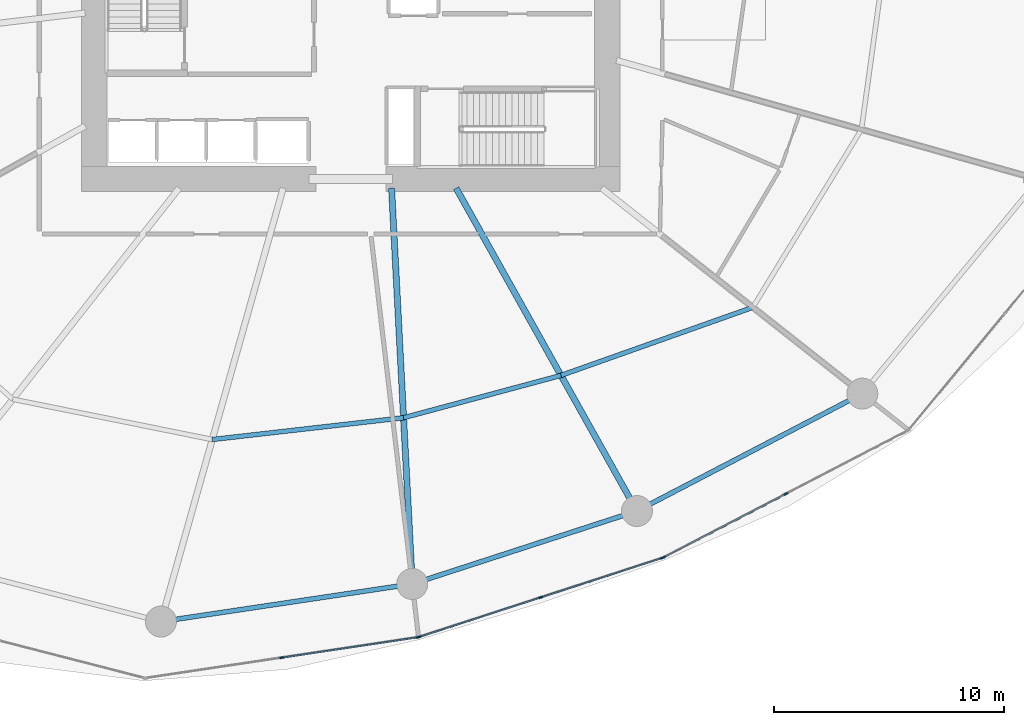
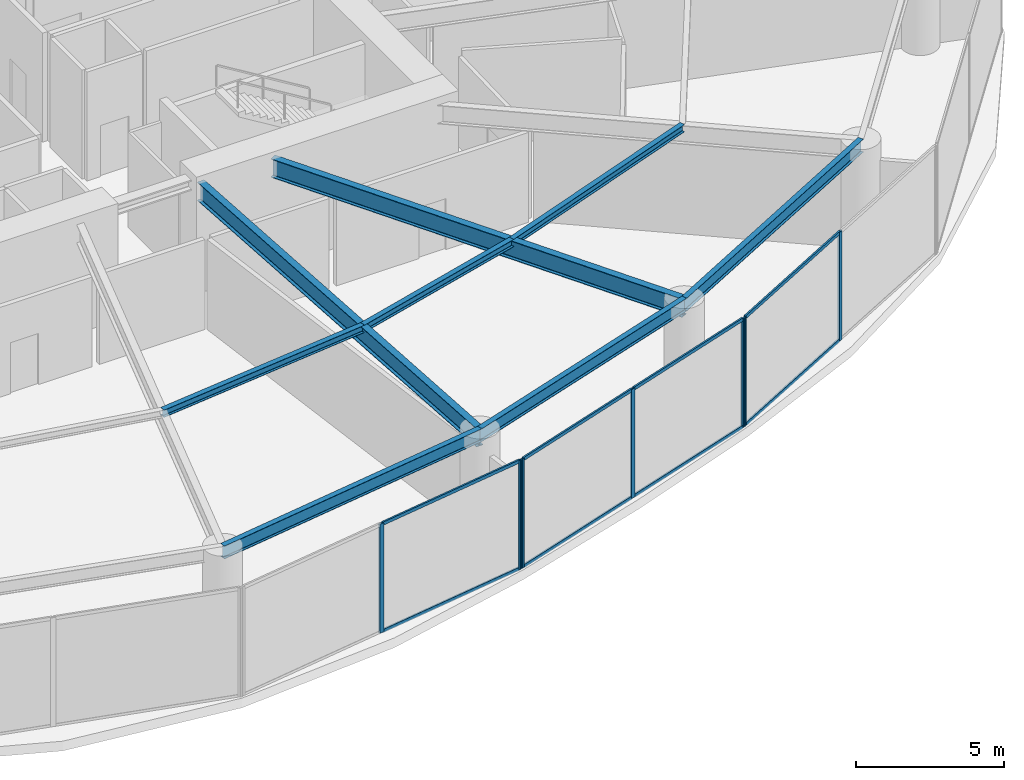
# One storey, part 9 of 22: 15 members, 8 beams, 3 elements without a shape of their own.
"""IFC4 building model written with IfcOpenShell, lengths in metres."""

from ifc_helpers import new_model, si_unit, direction, frame, origin, origin_2d, place, context, subcontext, project, spatial, rectangle, i_section, extrude, material, layer, layer_set, material_profile, profile_set, type_object, element, aggregate, save


model = new_model("IFC4")

# Units and contexts
model_context = context("Model", 3, precision=1e-05, world=origin(), true_north=direction((0.0, 1.0)))
body_context = subcontext(model_context, "Body", "Model", "MODEL_VIEW")
ifc_project = project(units=[si_unit("LENGTHUNIT", "METRE"), si_unit("AREAUNIT", "SQUARE_METRE"), si_unit("VOLUMEUNIT", "CUBIC_METRE"), si_unit("PLANEANGLEUNIT", "RADIAN"), si_unit("MASSUNIT", "GRAM", prefix="KILO")], contexts=[model_context])

# Site, building, storey
site_placement = place(None, origin())
site = spatial("IfcSite", under=ifc_project, at=site_placement, CompositionType="ELEMENT")
building_placement = place(site_placement, origin())
building = spatial("IfcBuilding", under=site, at=building_placement, Name="Kazma Halo Residences", CompositionType="ELEMENT")
storey_placement = place(building_placement, frame((0.0, 0.0, 7.199951171875)))
storey = spatial("IfcBuildingStorey", under=building, at=storey_placement, Name="L01", CompositionType="ELEMENT", Elevation=7.199951171875)

# Beams
ifc_material_1 = material(Name="Steel S355", Category="steel")
ifc_material_profile_1 = material_profile(ifc_material_1, i_section(OverallWidth=0.26708984375, OverallDepth=0.761962890625, WebThickness=0.014404296875, FlangeThickness=0.021484375, FilletRadius=0.02001953125, at=origin_2d()), Name="W760x173")
ifc_profile_set_1 = profile_set([ifc_material_profile_1], Name="Steel S355")
beam_type_1 = type_object("IfcBeamType", Name="BM-POD-W760", PredefinedType="BEAM", material=ifc_profile_set_1)
beam_1_placement = place(storey_placement, frame((50.199951171875, 33.050048828125, 4.09912109375), z_axis=(0.052151471652, -0.998639186095, 0.0), x_axis=(0.998639186095, 0.052151471652, 0.0)))
element("IfcBeam", 1, at=beam_1_placement, inside=storey, type_object=beam_type_1, Name="L01 radial floor beam 12", PredefinedType="BEAM", context=body_context, shape_type="SweptSolid", body=[
    extrude(i_section(OverallWidth=0.26708984375, OverallDepth=0.761962890625, WebThickness=0.014404296875, FlangeThickness=0.021484375, FilletRadius=0.02001953125, at=origin_2d()), origin(), (0.0, 0.0, 1.0), 17.26953125),
])
beam_2_placement = place(storey_placement, frame((53.01220703125, 33.050048828125, 4.09912109375), z_axis=(0.488623198121, -0.872494911308, 0.0), x_axis=(0.872494911308, 0.488623198121, 0.0)))
element("IfcBeam", 2, at=beam_2_placement, inside=storey, type_object=beam_type_1, Name="L01 radial floor beam 13", PredefinedType="BEAM", context=body_context, shape_type="SweptSolid", body=[
    extrude(i_section(OverallWidth=0.26708984375, OverallDepth=0.761962890625, WebThickness=0.014404296875, FlangeThickness=0.021484375, FilletRadius=0.02001953125, at=origin_2d()), origin(), (0.0, 0.0, 1.0), 16.12109375),
])
ifc_material_profile_2 = material_profile(ifc_material_1, i_section(OverallWidth=0.202880859375, OverallDepth=0.302978515625, WebThickness=0.007568359375, FlangeThickness=0.01318359375, FilletRadius=0.013916015625, at=origin_2d()), Name="W310x60")
ifc_profile_set_2 = profile_set([ifc_material_profile_2], Name="Steel S355")
beam_type_2 = type_object("IfcBeamType", Name="BM-SEC-W310A", PredefinedType="JOIST", material=ifc_profile_set_2)
beam_3_placement = place(storey_placement, frame((42.38720703125, 22.098876953125, 4.32861328125), z_axis=(0.993587805197, 0.113063138842, 0.0), x_axis=(-0.113063138842, 0.993587805197, 0.0)))
element("IfcBeam", 3, at=beam_3_placement, inside=storey, type_object=beam_type_2, Name="L01 circumferential floor joist 11", PredefinedType="JOIST", context=body_context, shape_type="SweptSolid", body=[
    extrude(i_section(OverallWidth=0.202880859375, OverallDepth=0.302978515625, WebThickness=0.007568359375, FlangeThickness=0.01318359375, FilletRadius=0.013916015625, at=origin_2d()), origin(), (0.0, 0.0, 1.0), 8.388916015625),
])
beam_4_placement = place(storey_placement, frame((50.722412109375, 23.04736328125, 4.32861328125), z_axis=(0.965678128269, 0.259741703588, 0.0), x_axis=(-0.259741703588, 0.965678128269, 0.0)))
element("IfcBeam", 4, at=beam_4_placement, inside=storey, type_object=beam_type_2, Name="L01 circumferential floor joist 12", PredefinedType="JOIST", context=body_context, shape_type="SweptSolid", body=[
    extrude(i_section(OverallWidth=0.202880859375, OverallDepth=0.302978515625, WebThickness=0.007568359375, FlangeThickness=0.01318359375, FilletRadius=0.013916015625, at=origin_2d()), origin(), (0.0, 0.0, 1.0), 7.10205078125),
])
beam_5_placement = place(storey_placement, frame((57.580810546875, 24.89208984375, 4.32861328125), z_axis=(0.942441737122, 0.334370411567, 0.0), x_axis=(-0.334370411567, 0.942441737122, 0.0)))
element("IfcBeam", 5, at=beam_5_placement, inside=storey, type_object=beam_type_2, Name="L01 circumferential floor joist 13", PredefinedType="JOIST", context=body_context, shape_type="SweptSolid", body=[
    extrude(i_section(OverallWidth=0.202880859375, OverallDepth=0.302978515625, WebThickness=0.007568359375, FlangeThickness=0.01318359375, FilletRadius=0.013916015625, at=origin_2d()), origin(), (0.0, 0.0, 1.0), 8.869140625),
])
ifc_material_profile_3 = material_profile(ifc_material_1, i_section(OverallWidth=0.208984375, OverallDepth=0.532958984375, WebThickness=0.01025390625, FlangeThickness=0.015625, FilletRadius=0.01611328125, at=origin_2d()), Name="W530x92")
ifc_profile_set_3 = profile_set([ifc_material_profile_3], Name="Steel S355")
beam_type_3 = type_object("IfcBeamType", Name="BM-SPN-W530", PredefinedType="BEAM", material=ifc_profile_set_3)
beam_6_placement = place(storey_placement, frame((40.15087890625, 14.168701171875, 4.213623046875), z_axis=(0.989031581018, 0.14770420356, 0.0), x_axis=(-0.14770420356, 0.989031581018, 0.0)))
element("IfcBeam", 6, at=beam_6_placement, inside=storey, type_object=beam_type_3, Name="L01 perimeter ring beam 11", PredefinedType="BEAM", context=body_context, shape_type="SweptSolid", body=[
    extrude(i_section(OverallWidth=0.208984375, OverallDepth=0.532958984375, WebThickness=0.01025390625, FlangeThickness=0.015625, FilletRadius=0.01611328125, at=origin_2d()), origin(), (0.0, 0.0, 1.0), 11.071044921875),
])
beam_7_placement = place(storey_placement, frame((51.1005859375, 15.803955078125, 4.213623046875), z_axis=(0.951061083857, 0.309002936511, 0.0), x_axis=(-0.309002936511, 0.951061083857, 0.0)))
element("IfcBeam", 7, at=beam_7_placement, inside=storey, type_object=beam_type_3, Name="L01 perimeter ring beam 12", PredefinedType="BEAM", context=body_context, shape_type="SweptSolid", body=[
    extrude(i_section(OverallWidth=0.208984375, OverallDepth=0.532958984375, WebThickness=0.01025390625, FlangeThickness=0.015625, FilletRadius=0.01611328125, at=origin_2d()), origin(), (0.0, 0.0, 1.0), 10.29248046875),
])
beam_8_placement = place(storey_placement, frame((60.889404296875, 18.984375, 4.213623046875), z_axis=(0.886954171981, 0.461857442082, 0.0), x_axis=(-0.461857442082, 0.886954171981, 0.0)))
element("IfcBeam", 8, at=beam_8_placement, inside=storey, type_object=beam_type_3, Name="L01 perimeter ring beam 13", PredefinedType="BEAM", context=body_context, shape_type="SweptSolid", body=[
    extrude(i_section(OverallWidth=0.208984375, OverallDepth=0.532958984375, WebThickness=0.01025390625, FlangeThickness=0.015625, FilletRadius=0.01611328125, at=origin_2d()), origin(), (0.0, 0.0, 1.0), 11.071044921875),
])

# Curtain wall, members
ifc_material_2 = material(Name="Aluminium AW-6063 T6 and Triple-Silver Low-E Glass", Category="aluminium")
ifc_layer = layer(ifc_material_2, 0.179931640625)
ifc_layer_set = layer_set([ifc_layer], Name="Aluminium AW-6063 T6 and Triple-Silver Low-E Glass")
curtain_wall_type = type_object("IfcCurtainWallType", Name="CW-SYS-1", PredefinedType="NOTDEFINED", material=ifc_layer_set)
curtain_wall_1_placement = place(storey_placement, origin())
curtain_wall_1 = element("IfcCurtainWall", 9, at=curtain_wall_1_placement, inside=storey, type_object=curtain_wall_type, Name="L01 unitised curtain wall B11", PredefinedType="NOTDEFINED")
ifc_material_3 = material(Name="Aluminium AW-6063 T6", Category="aluminium")
ifc_material_profile_4 = material_profile(ifc_material_3, rectangle(XDim=0.06494140625, YDim=0.179931640625, at=origin_2d()), Name="CWM-65x180")
ifc_profile_set_4 = profile_set([ifc_material_profile_4], Name="Aluminium AW-6063 T6")
member_type_1 = type_object("IfcMemberType", Name="CW-SYS-1-MUL", PredefinedType="MULLION", material=ifc_profile_set_4)
member_1_placement = place(storey_placement, frame((45.414306640625, 12.59423828125, 0.0), z_axis=(0.0, 0.0, 1.0), x_axis=(-0.148548966342, 0.988905053379, 0.0)))
member_1 = element("IfcMember", 10, at=member_1_placement, type_object=member_type_1, Name="CWS-1 mullion 2", PredefinedType="MULLION", context=body_context, shape_type="SweptSolid", body=[
    extrude(rectangle(XDim=0.06494140625, YDim=0.179931640625, at=origin_2d()), origin(), (0.0, 0.0, 1.0), 4.47998046875),
])
member_2_placement = place(storey_placement, frame((51.34228515625, 13.484619140625, 0.0), z_axis=(0.0, 0.0, 1.0), x_axis=(-0.148548966342, 0.988905053379, 0.0)))
member_2 = element("IfcMember", 11, at=member_2_placement, type_object=member_type_1, Name="CWS-1 mullion 3", PredefinedType="MULLION", context=body_context, shape_type="SweptSolid", body=[
    extrude(rectangle(XDim=0.06494140625, YDim=0.179931640625, at=origin_2d()), origin(), (0.0, 0.0, 1.0), 4.47998046875),
])

curtain_wall_2_placement = place(storey_placement, origin())
curtain_wall_2 = element("IfcCurtainWall", 12, at=curtain_wall_2_placement, inside=storey, type_object=curtain_wall_type, Name="L01 unitised curtain wall B12", PredefinedType="NOTDEFINED")
member_3_placement = place(storey_placement, frame((51.4052734375, 13.49951171875, 0.0), z_axis=(0.0, 0.0, 1.0), x_axis=(-0.309017239211, 0.951056436743, 0.0)))
member_3 = element("IfcMember", 13, at=member_3_placement, type_object=member_type_1, Name="CWS-1 mullion 1", PredefinedType="MULLION", context=body_context, shape_type="SweptSolid", body=[
    extrude(rectangle(XDim=0.06494140625, YDim=0.179931640625, at=origin_2d()), origin(), (0.0, 0.0, 1.0), 4.47998046875),
])
member_4_placement = place(storey_placement, frame((56.701171875, 15.22021484375, 0.0), z_axis=(0.0, 0.0, 1.0), x_axis=(-0.309017239211, 0.951056436743, 0.0)))
member_4 = element("IfcMember", 14, at=member_4_placement, type_object=member_type_1, Name="CWS-1 mullion 2", PredefinedType="MULLION", context=body_context, shape_type="SweptSolid", body=[
    extrude(rectangle(XDim=0.06494140625, YDim=0.179931640625, at=origin_2d()), origin(), (0.0, 0.0, 1.0), 4.47998046875),
])
member_5_placement = place(storey_placement, frame((61.9970703125, 16.941162109375, 0.0), z_axis=(0.0, 0.0, 1.0), x_axis=(-0.309017239211, 0.951056436743, 0.0)))
member_5 = element("IfcMember", 15, at=member_5_placement, type_object=member_type_1, Name="CWS-1 mullion 3", PredefinedType="MULLION", context=body_context, shape_type="SweptSolid", body=[
    extrude(rectangle(XDim=0.06494140625, YDim=0.179931640625, at=origin_2d()), origin(), (0.0, 0.0, 1.0), 4.47998046875),
])

curtain_wall_3_placement = place(storey_placement, origin())
curtain_wall_3 = element("IfcCurtainWall", 16, at=curtain_wall_3_placement, inside=storey, type_object=curtain_wall_type, Name="L01 unitised curtain wall B13", PredefinedType="NOTDEFINED")
member_6_placement = place(storey_placement, frame((62.056884765625, 16.966064453125, 0.0), z_axis=(0.0, 0.0, 1.0), x_axis=(-0.46108680311, 0.887355036047, 0.0)))
member_6 = element("IfcMember", 17, at=member_6_placement, type_object=member_type_1, Name="CWS-1 mullion 1", PredefinedType="MULLION", context=body_context, shape_type="SweptSolid", body=[
    extrude(rectangle(XDim=0.06494140625, YDim=0.179931640625, at=origin_2d()), origin(), (0.0, 0.0, 1.0), 4.47998046875),
])
member_7_placement = place(storey_placement, frame((67.376220703125, 19.72998046875, 0.0), z_axis=(0.0, 0.0, 1.0), x_axis=(-0.46108680311, 0.887355036047, 0.0)))
member_7 = element("IfcMember", 18, at=member_7_placement, type_object=member_type_1, Name="CWS-1 mullion 2", PredefinedType="MULLION", context=body_context, shape_type="SweptSolid", body=[
    extrude(rectangle(XDim=0.06494140625, YDim=0.179931640625, at=origin_2d()), origin(), (0.0, 0.0, 1.0), 4.47998046875),
])

# Member
ifc_material_profile_5 = material_profile(ifc_material_3, rectangle(XDim=0.06494140625, YDim=0.135009765625, at=origin_2d()), Name="CWT-65x135")
ifc_profile_set_5 = profile_set([ifc_material_profile_5], Name="Aluminium AW-6063 T6")
member_type_2 = type_object("IfcMemberType", Name="CW-SYS-1-TRN", PredefinedType="USERDEFINED", material=ifc_profile_set_5)
member_8_placement = place(storey_placement, frame((45.446533203125, 12.59912109375, 0.032470703125), z_axis=(0.988909456852, 0.148519649035, 0.0), x_axis=(-0.148519649035, 0.988909456852, 0.0)))
member_8 = element("IfcMember", 19, at=member_8_placement, type_object=member_type_2, Name="CWS-1 transom 2.1", ObjectType="TRANSOM", PredefinedType="USERDEFINED", context=body_context, shape_type="SweptSolid", body=[
    extrude(rectangle(XDim=0.06494140625, YDim=0.135009765625, at=origin_2d()), origin(), (0.0, 0.0, 1.0), 5.92919921875),
])

member_9_placement = place(storey_placement, frame((45.446533203125, 12.59912109375, 4.447509765625), z_axis=(0.988909456852, 0.148519649035, 0.0), x_axis=(-0.148519649035, 0.988909456852, 0.0)))
member_9 = element("IfcMember", 20, at=member_9_placement, type_object=member_type_2, Name="CWS-1 transom 2.2", ObjectType="TRANSOM", PredefinedType="USERDEFINED", context=body_context, shape_type="SweptSolid", body=[
    extrude(rectangle(XDim=0.06494140625, YDim=0.135009765625, at=origin_2d()), origin(), (0.0, 0.0, 1.0), 5.92919921875),
])

aggregate(curtain_wall_1, [member_1, member_2, member_8, member_9])

member_10_placement = place(storey_placement, frame((51.436279296875, 13.509521484375, 0.032470703125), z_axis=(0.951055908328, 0.309018865498, 0.0), x_axis=(-0.309018865498, 0.951055908328, 0.0)))
member_10 = element("IfcMember", 21, at=member_10_placement, type_object=member_type_2, Name="CWS-1 transom 1.1", ObjectType="TRANSOM", PredefinedType="USERDEFINED", context=body_context, shape_type="SweptSolid", body=[
    extrude(rectangle(XDim=0.06494140625, YDim=0.135009765625, at=origin_2d()), origin(), (0.0, 0.0, 1.0), 5.50341796875),
])

member_11_placement = place(storey_placement, frame((51.436279296875, 13.509521484375, 4.447509765625), z_axis=(0.951055908328, 0.309018865498, 0.0), x_axis=(-0.309018865498, 0.951055908328, 0.0)))
member_11 = element("IfcMember", 22, at=member_11_placement, type_object=member_type_2, Name="CWS-1 transom 1.2", ObjectType="TRANSOM", PredefinedType="USERDEFINED", context=body_context, shape_type="SweptSolid", body=[
    extrude(rectangle(XDim=0.06494140625, YDim=0.135009765625, at=origin_2d()), origin(), (0.0, 0.0, 1.0), 5.50341796875),
])

member_12_placement = place(storey_placement, frame((56.732177734375, 15.230224609375, 0.032470703125), z_axis=(0.951055908328, 0.309018865498, 0.0), x_axis=(-0.309018865498, 0.951055908328, 0.0)))
member_12 = element("IfcMember", 23, at=member_12_placement, type_object=member_type_2, Name="CWS-1 transom 2.1", ObjectType="TRANSOM", PredefinedType="USERDEFINED", context=body_context, shape_type="SweptSolid", body=[
    extrude(rectangle(XDim=0.06494140625, YDim=0.135009765625, at=origin_2d()), origin(), (0.0, 0.0, 1.0), 5.50341796875),
])

member_13_placement = place(storey_placement, frame((56.732177734375, 15.230224609375, 4.447509765625), z_axis=(0.951055908328, 0.309018865498, 0.0), x_axis=(-0.309018865498, 0.951055908328, 0.0)))
member_13 = element("IfcMember", 24, at=member_13_placement, type_object=member_type_2, Name="CWS-1 transom 2.2", ObjectType="TRANSOM", PredefinedType="USERDEFINED", context=body_context, shape_type="SweptSolid", body=[
    extrude(rectangle(XDim=0.06494140625, YDim=0.135009765625, at=origin_2d()), origin(), (0.0, 0.0, 1.0), 5.50341796875),
])

aggregate(curtain_wall_2, [member_3, member_4, member_5, member_10, member_11, member_12, member_13])

member_14_placement = place(storey_placement, frame((62.085693359375, 16.98095703125, 0.032470703125), z_axis=(0.887352259256, 0.461092146966, 0.0), x_axis=(-0.461092146966, 0.887352259256, 0.0)))
member_14 = element("IfcMember", 25, at=member_14_placement, type_object=member_type_2, Name="CWS-1 transom 1.1", ObjectType="TRANSOM", PredefinedType="USERDEFINED", context=body_context, shape_type="SweptSolid", body=[
    extrude(rectangle(XDim=0.06494140625, YDim=0.135009765625, at=origin_2d()), origin(), (0.0, 0.0, 1.0), 5.9296875),
])

member_15_placement = place(storey_placement, frame((62.085693359375, 16.98095703125, 4.447509765625), z_axis=(0.887352259256, 0.461092146966, 0.0), x_axis=(-0.461092146966, 0.887352259256, 0.0)))
member_15 = element("IfcMember", 26, at=member_15_placement, type_object=member_type_2, Name="CWS-1 transom 1.2", ObjectType="TRANSOM", PredefinedType="USERDEFINED", context=body_context, shape_type="SweptSolid", body=[
    extrude(rectangle(XDim=0.06494140625, YDim=0.135009765625, at=origin_2d()), origin(), (0.0, 0.0, 1.0), 5.9296875),
])

aggregate(curtain_wall_3, [member_6, member_7, member_14, member_15])

save(model, "model.ifc")
